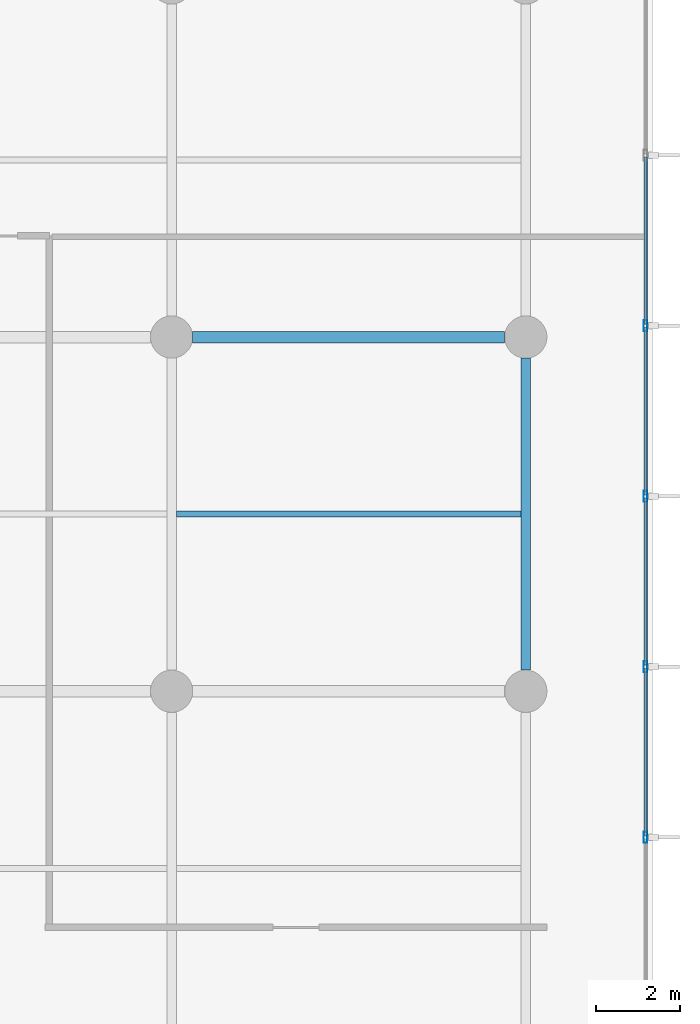
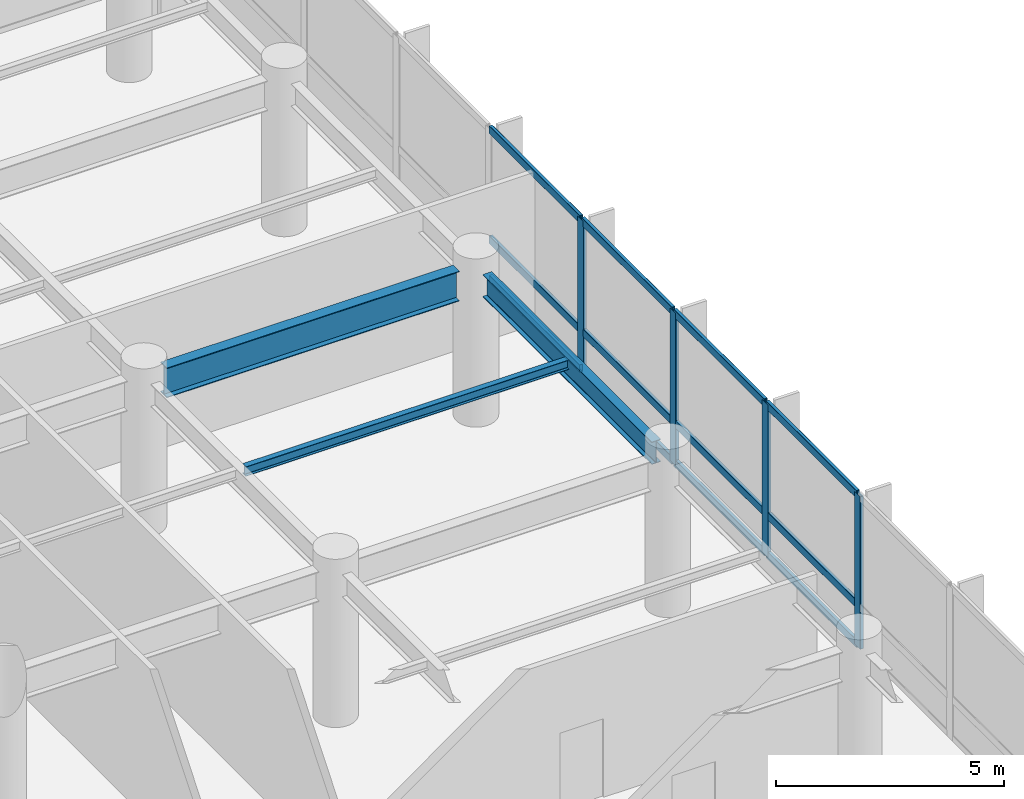
# One storey, part 9 of 23: 16 members, 3 beams, 1 element without a shape of its own.
"""IFC4 building model written with IfcOpenShell, lengths in metres."""

from ifc_helpers import new_model, si_unit, direction, frame, origin, origin_2d, place, context, subcontext, project, spatial, hollow_rectangle, i_section, extrude, material, layer, layer_set, material_profile, profile_set, type_object, element, aggregate, save


model = new_model("IFC4")

# Units and contexts
model_context = context("Model", 3, precision=1e-05, world=origin(), true_north=direction((0.0, 1.0)))
body_context = subcontext(model_context, "Body", "Model", "MODEL_VIEW")
ifc_project = project(units=[si_unit("LENGTHUNIT", "METRE"), si_unit("AREAUNIT", "SQUARE_METRE"), si_unit("VOLUMEUNIT", "CUBIC_METRE"), si_unit("PLANEANGLEUNIT", "RADIAN"), si_unit("MASSUNIT", "GRAM", prefix="KILO")], contexts=[model_context])

# Site, building, storey
site_placement = place(None, origin())
site = spatial("IfcSite", under=ifc_project, at=site_placement, CompositionType="ELEMENT")
building_placement = place(site_placement, origin())
building = spatial("IfcBuilding", under=site, at=building_placement, Name="Varnakote Quay Hospital", CompositionType="ELEMENT")
storey_placement = place(building_placement, frame((0.0, 0.0, 18.0)))
storey = spatial("IfcBuildingStorey", under=building, at=storey_placement, Name="L04", CompositionType="ELEMENT", Elevation=18.0)

# Beams
ifc_material_1 = material(Name="Structural steel AS/NZS 3679.1 Grade 350 L0 (fy 340 MPa)", Category="steel")
ifc_material_profile_1 = material_profile(ifc_material_1, i_section(OverallWidth=0.22802734375, OverallDepth=0.60205078125, WebThickness=0.010498046875, FlangeThickness=0.014892578125, FilletRadius=0.013916015625, at=origin_2d()), Name="610UB101")
ifc_profile_set_1 = profile_set([ifc_material_profile_1], Name="Structural steel AS/NZS 3679.1 Grade 350 L0 (fy 340 MPa)")
beam_type_1 = type_object("IfcBeamType", Name="BM-STL-610UB101", PredefinedType="BEAM", material=ifc_profile_set_1)
beam_1_placement = place(storey_placement, frame((84.0, 20.89990234375, 3.779052734375), z_axis=(0.0, 1.0, 0.0), x_axis=(-1.0, 0.0, 0.0)))
element("IfcBeam", 1, at=beam_1_placement, inside=storey, type_object=beam_type_1, Name="L04 Primary Tie Beam", PredefinedType="BEAM", context=body_context, shape_type="SweptSolid", body=[
    extrude(i_section(OverallWidth=0.22802734375, OverallDepth=0.60205078125, WebThickness=0.010498046875, FlangeThickness=0.014892578125, FilletRadius=0.013916015625, at=origin_2d()), origin(), (0.0, 0.0, 1.0), 7.400146484375),
])
ifc_material_2 = material(Name="Structural steel AS/NZS 3678 Grade 350 (fy 340 MPa)", Category="steel")
ifc_material_profile_2 = material_profile(ifc_material_2, i_section(OverallWidth=0.27490234375, OverallDepth=0.800048828125, WebThickness=0.010009765625, FlangeThickness=0.02001953125, at=origin_2d()), Name="800WB146")
ifc_profile_set_2 = profile_set([ifc_material_profile_2], Name="Structural steel AS/NZS 3678 Grade 350 (fy 340 MPa)")
beam_type_2 = type_object("IfcBeamType", Name="BM-STL-800WB146", PredefinedType="BEAM", material=ifc_profile_set_2)
beam_2_placement = place(storey_placement, frame((76.10009765625, 28.800048828125, 3.679931640625), z_axis=(1.0, 0.0, 0.0), x_axis=(0.0, 1.0, 0.0)))
element("IfcBeam", 2, at=beam_2_placement, inside=storey, type_object=beam_type_2, Name="L04 Plated Composite Transfer Beam", PredefinedType="BEAM", context=body_context, shape_type="SweptSolid", body=[
    extrude(i_section(OverallWidth=0.27490234375, OverallDepth=0.800048828125, WebThickness=0.010009765625, FlangeThickness=0.02001953125, at=origin_2d()), origin(), (0.0, 0.0, 1.0), 7.39990234375),
])

# Curtain wall, members
ifc_material_3 = material(Name="Anodised aluminium 6063-T6 Bronze", Category="aluminium")
ifc_layer = layer(ifc_material_3, 0.175048828125)
ifc_layer_set = layer_set([ifc_layer], Name="Anodised aluminium 6063-T6 Bronze")
curtain_wall_type = type_object("IfcCurtainWallType", Name="CW-SYS-1", PredefinedType="NOTDEFINED", material=ifc_layer_set)
curtain_wall_placement = place(storey_placement, origin())
curtain_wall = element("IfcCurtainWall", 3, at=curtain_wall_placement, inside=storey, type_object=curtain_wall_type, Name="L04 Unitised Bronze Curtain Wall 1", PredefinedType="NOTDEFINED")
ifc_material_4 = material(Name="Anodised aluminium 6063-T6 Bronze", Category="aluminium")
ifc_material_profile_3 = material_profile(ifc_material_4, hollow_rectangle(XDim=0.0849609375, YDim=0.260009765625, WallThickness=0.0048828125, InnerFilletRadius=0.0048828125, OuterFilletRadius=0.010009765625, at=origin_2d()), Name="CW-MULL-260x85")
ifc_profile_set_3 = profile_set([ifc_material_profile_3], Name="Anodised aluminium 6063-T6 Bronze")
member_type_1 = type_object("IfcMemberType", Name="CW-MULL-260x85", PredefinedType="MULLION", material=ifc_profile_set_3)
member_1_placement = place(storey_placement, frame((86.840087890625, 16.9345703125, 0.0), z_axis=(0.0, 0.0, 1.0), x_axis=(-1.0, 0.0, 0.0)))
member_1 = element("IfcMember", 4, at=member_1_placement, type_object=member_type_1, Name="-1-L04-1 mullion 5", PredefinedType="MULLION", context=body_context, shape_type="SweptSolid", body=[
    extrude(hollow_rectangle(XDim=0.0849609375, YDim=0.260009765625, WallThickness=0.0048828125, InnerFilletRadius=0.0048828125, OuterFilletRadius=0.010009765625, at=origin_2d()), origin(), (0.0, 0.0, 1.0), 4.080078125),
])
member_2_placement = place(storey_placement, frame((86.840087890625, 20.978271484375, 0.0), z_axis=(0.0, 0.0, 1.0), x_axis=(-1.0, 0.0, 0.0)))
member_2 = element("IfcMember", 5, at=member_2_placement, type_object=member_type_1, Name="-1-L04-1 mullion 6", PredefinedType="MULLION", context=body_context, shape_type="SweptSolid", body=[
    extrude(hollow_rectangle(XDim=0.0849609375, YDim=0.260009765625, WallThickness=0.0048828125, InnerFilletRadius=0.0048828125, OuterFilletRadius=0.010009765625, at=origin_2d()), origin(), (0.0, 0.0, 1.0), 4.080078125),
])
member_3_placement = place(storey_placement, frame((86.840087890625, 25.021728515625, 0.0), z_axis=(0.0, 0.0, 1.0), x_axis=(-1.0, 0.0, 0.0)))
member_3 = element("IfcMember", 6, at=member_3_placement, type_object=member_type_1, Name="-1-L04-1 mullion 7", PredefinedType="MULLION", context=body_context, shape_type="SweptSolid", body=[
    extrude(hollow_rectangle(XDim=0.0849609375, YDim=0.260009765625, WallThickness=0.0048828125, InnerFilletRadius=0.0048828125, OuterFilletRadius=0.010009765625, at=origin_2d()), origin(), (0.0, 0.0, 1.0), 4.080078125),
])
member_4_placement = place(storey_placement, frame((86.840087890625, 29.0654296875, 0.0), z_axis=(0.0, 0.0, 1.0), x_axis=(-1.0, 0.0, 0.0)))
member_4 = element("IfcMember", 7, at=member_4_placement, type_object=member_type_1, Name="-1-L04-1 mullion 8", PredefinedType="MULLION", context=body_context, shape_type="SweptSolid", body=[
    extrude(hollow_rectangle(XDim=0.0849609375, YDim=0.260009765625, WallThickness=0.0048828125, InnerFilletRadius=0.0048828125, OuterFilletRadius=0.010009765625, at=origin_2d()), origin(), (0.0, 0.0, 1.0), 4.080078125),
])
ifc_material_5 = material(Name="Anodised aluminium 6063-T6 Bronze", Category="aluminium")
ifc_material_profile_4 = material_profile(ifc_material_5, hollow_rectangle(XDim=0.0849609375, YDim=0.2099609375, WallThickness=0.00439453125, InnerFilletRadius=0.00439453125, OuterFilletRadius=0.009033203125, at=origin_2d()), Name="CW-TRAN-210x85")
ifc_profile_set_4 = profile_set([ifc_material_profile_4], Name="Anodised aluminium 6063-T6 Bronze")
member_type_2 = type_object("IfcMemberType", Name="CW-TRAN-210x85", PredefinedType="USERDEFINED", material=ifc_profile_set_4)
member_5_placement = place(storey_placement, frame((86.840087890625, 16.97705078125, 0.04248046875), z_axis=(0.0, 1.0, 0.0), x_axis=(-1.0, 0.0, 0.0)))
member_5 = element("IfcMember", 8, at=member_5_placement, type_object=member_type_2, Name="-1-L04-1 transom 5.1", ObjectType="TRANSOM", PredefinedType="USERDEFINED", context=body_context, shape_type="SweptSolid", body=[
    extrude(hollow_rectangle(XDim=0.0849609375, YDim=0.2099609375, WallThickness=0.00439453125, InnerFilletRadius=0.00439453125, OuterFilletRadius=0.009033203125, at=origin_2d()), origin(), (0.0, 0.0, 1.0), 3.958740234375),
])
member_6_placement = place(storey_placement, frame((86.840087890625, 16.97705078125, 1.10009765625), z_axis=(0.0, 1.0, 0.0), x_axis=(-1.0, 0.0, 0.0)))
member_6 = element("IfcMember", 9, at=member_6_placement, type_object=member_type_2, Name="-1-L04-1 transom 5.2", ObjectType="TRANSOM", PredefinedType="USERDEFINED", context=body_context, shape_type="SweptSolid", body=[
    extrude(hollow_rectangle(XDim=0.0849609375, YDim=0.2099609375, WallThickness=0.00439453125, InnerFilletRadius=0.00439453125, OuterFilletRadius=0.009033203125, at=origin_2d()), origin(), (0.0, 0.0, 1.0), 3.958740234375),
])
member_7_placement = place(storey_placement, frame((86.840087890625, 16.97705078125, 4.03759765625), z_axis=(0.0, 1.0, 0.0), x_axis=(-1.0, 0.0, 0.0)))
member_7 = element("IfcMember", 10, at=member_7_placement, type_object=member_type_2, Name="-1-L04-1 transom 5.3", ObjectType="TRANSOM", PredefinedType="USERDEFINED", context=body_context, shape_type="SweptSolid", body=[
    extrude(hollow_rectangle(XDim=0.0849609375, YDim=0.2099609375, WallThickness=0.00439453125, InnerFilletRadius=0.00439453125, OuterFilletRadius=0.009033203125, at=origin_2d()), origin(), (0.0, 0.0, 1.0), 3.958740234375),
])
member_8_placement = place(storey_placement, frame((86.840087890625, 21.020751953125, 0.04248046875), z_axis=(0.0, 1.0, 0.0), x_axis=(-1.0, 0.0, 0.0)))
member_8 = element("IfcMember", 11, at=member_8_placement, type_object=member_type_2, Name="-1-L04-1 transom 6.1", ObjectType="TRANSOM", PredefinedType="USERDEFINED", context=body_context, shape_type="SweptSolid", body=[
    extrude(hollow_rectangle(XDim=0.0849609375, YDim=0.2099609375, WallThickness=0.00439453125, InnerFilletRadius=0.00439453125, OuterFilletRadius=0.009033203125, at=origin_2d()), origin(), (0.0, 0.0, 1.0), 3.95849609375),
])
member_9_placement = place(storey_placement, frame((86.840087890625, 21.020751953125, 1.10009765625), z_axis=(0.0, 1.0, 0.0), x_axis=(-1.0, 0.0, 0.0)))
member_9 = element("IfcMember", 12, at=member_9_placement, type_object=member_type_2, Name="-1-L04-1 transom 6.2", ObjectType="TRANSOM", PredefinedType="USERDEFINED", context=body_context, shape_type="SweptSolid", body=[
    extrude(hollow_rectangle(XDim=0.0849609375, YDim=0.2099609375, WallThickness=0.00439453125, InnerFilletRadius=0.00439453125, OuterFilletRadius=0.009033203125, at=origin_2d()), origin(), (0.0, 0.0, 1.0), 3.95849609375),
])
member_10_placement = place(storey_placement, frame((86.840087890625, 21.020751953125, 4.03759765625), z_axis=(0.0, 1.0, 0.0), x_axis=(-1.0, 0.0, 0.0)))
member_10 = element("IfcMember", 13, at=member_10_placement, type_object=member_type_2, Name="-1-L04-1 transom 6.3", ObjectType="TRANSOM", PredefinedType="USERDEFINED", context=body_context, shape_type="SweptSolid", body=[
    extrude(hollow_rectangle(XDim=0.0849609375, YDim=0.2099609375, WallThickness=0.00439453125, InnerFilletRadius=0.00439453125, OuterFilletRadius=0.009033203125, at=origin_2d()), origin(), (0.0, 0.0, 1.0), 3.95849609375),
])
member_11_placement = place(storey_placement, frame((86.840087890625, 25.064208984375, 0.04248046875), z_axis=(0.0, 1.0, 0.0), x_axis=(-1.0, 0.0, 0.0)))
member_11 = element("IfcMember", 14, at=member_11_placement, type_object=member_type_2, Name="-1-L04-1 transom 7.1", ObjectType="TRANSOM", PredefinedType="USERDEFINED", context=body_context, shape_type="SweptSolid", body=[
    extrude(hollow_rectangle(XDim=0.0849609375, YDim=0.2099609375, WallThickness=0.00439453125, InnerFilletRadius=0.00439453125, OuterFilletRadius=0.009033203125, at=origin_2d()), origin(), (0.0, 0.0, 1.0), 3.958740234375),
])
member_12_placement = place(storey_placement, frame((86.840087890625, 25.064208984375, 1.10009765625), z_axis=(0.0, 1.0, 0.0), x_axis=(-1.0, 0.0, 0.0)))
member_12 = element("IfcMember", 15, at=member_12_placement, type_object=member_type_2, Name="-1-L04-1 transom 7.2", ObjectType="TRANSOM", PredefinedType="USERDEFINED", context=body_context, shape_type="SweptSolid", body=[
    extrude(hollow_rectangle(XDim=0.0849609375, YDim=0.2099609375, WallThickness=0.00439453125, InnerFilletRadius=0.00439453125, OuterFilletRadius=0.009033203125, at=origin_2d()), origin(), (0.0, 0.0, 1.0), 3.958740234375),
])
member_13_placement = place(storey_placement, frame((86.840087890625, 25.064208984375, 4.03759765625), z_axis=(0.0, 1.0, 0.0), x_axis=(-1.0, 0.0, 0.0)))
member_13 = element("IfcMember", 16, at=member_13_placement, type_object=member_type_2, Name="-1-L04-1 transom 7.3", ObjectType="TRANSOM", PredefinedType="USERDEFINED", context=body_context, shape_type="SweptSolid", body=[
    extrude(hollow_rectangle(XDim=0.0849609375, YDim=0.2099609375, WallThickness=0.00439453125, InnerFilletRadius=0.00439453125, OuterFilletRadius=0.009033203125, at=origin_2d()), origin(), (0.0, 0.0, 1.0), 3.958740234375),
])
member_14_placement = place(storey_placement, frame((86.840087890625, 29.10791015625, 0.04248046875), z_axis=(0.0, 1.0, 0.0), x_axis=(-1.0, 0.0, 0.0)))
member_14 = element("IfcMember", 17, at=member_14_placement, type_object=member_type_2, Name="-1-L04-1 transom 8.1", ObjectType="TRANSOM", PredefinedType="USERDEFINED", context=body_context, shape_type="SweptSolid", body=[
    extrude(hollow_rectangle(XDim=0.0849609375, YDim=0.2099609375, WallThickness=0.00439453125, InnerFilletRadius=0.00439453125, OuterFilletRadius=0.009033203125, at=origin_2d()), origin(), (0.0, 0.0, 1.0), 3.958740234375),
])
member_15_placement = place(storey_placement, frame((86.840087890625, 29.10791015625, 1.10009765625), z_axis=(0.0, 1.0, 0.0), x_axis=(-1.0, 0.0, 0.0)))
member_15 = element("IfcMember", 18, at=member_15_placement, type_object=member_type_2, Name="-1-L04-1 transom 8.2", ObjectType="TRANSOM", PredefinedType="USERDEFINED", context=body_context, shape_type="SweptSolid", body=[
    extrude(hollow_rectangle(XDim=0.0849609375, YDim=0.2099609375, WallThickness=0.00439453125, InnerFilletRadius=0.00439453125, OuterFilletRadius=0.009033203125, at=origin_2d()), origin(), (0.0, 0.0, 1.0), 3.958740234375),
])
member_16_placement = place(storey_placement, frame((86.840087890625, 29.10791015625, 4.03759765625), z_axis=(0.0, 1.0, 0.0), x_axis=(-1.0, 0.0, 0.0)))
member_16 = element("IfcMember", 19, at=member_16_placement, type_object=member_type_2, Name="-1-L04-1 transom 8.3", ObjectType="TRANSOM", PredefinedType="USERDEFINED", context=body_context, shape_type="SweptSolid", body=[
    extrude(hollow_rectangle(XDim=0.0849609375, YDim=0.2099609375, WallThickness=0.00439453125, InnerFilletRadius=0.00439453125, OuterFilletRadius=0.009033203125, at=origin_2d()), origin(), (0.0, 0.0, 1.0), 3.958740234375),
])
aggregate(curtain_wall, [member_1, member_2, member_3, member_4, member_5, member_6, member_7, member_8, member_9, member_10, member_11, member_12, member_13, member_14, member_15, member_16])

# Beam
ifc_material_6 = material(Name="Structural steel AS/NZS 3679.1 Grade 350 L0 (fy 340 MPa)", Category="steel")
ifc_material_profile_5 = material_profile(ifc_material_6, i_section(OverallWidth=0.14599609375, OverallDepth=0.256103515625, WebThickness=0.00634765625, FlangeThickness=0.010986328125, FilletRadius=0.0087890625, at=origin_2d()), Name="250UB37.3")
ifc_profile_set_5 = profile_set([ifc_material_profile_5], Name="Structural steel AS/NZS 3679.1 Grade 350 L0 (fy 340 MPa)")
beam_type_3 = type_object("IfcBeamType", Name="JST-STL-250UB37-3", PredefinedType="JOIST", material=ifc_profile_set_5)
beam_3_placement = place(storey_placement, frame((75.714111328125, 24.60009765625, 3.951904296875), z_axis=(1.0, 0.0, 0.0), x_axis=(0.0, 1.0, 0.0)))
element("IfcBeam", 20, at=beam_3_placement, inside=storey, type_object=beam_type_3, Name="L04 Composite Floor Joist", PredefinedType="JOIST", context=body_context, shape_type="SweptSolid", body=[
    extrude(i_section(OverallWidth=0.14599609375, OverallDepth=0.256103515625, WebThickness=0.00634765625, FlangeThickness=0.010986328125, FilletRadius=0.0087890625, at=origin_2d()), origin(), (0.0, 0.0, 1.0), 8.171875),
])

save(model, "model.ifc")
